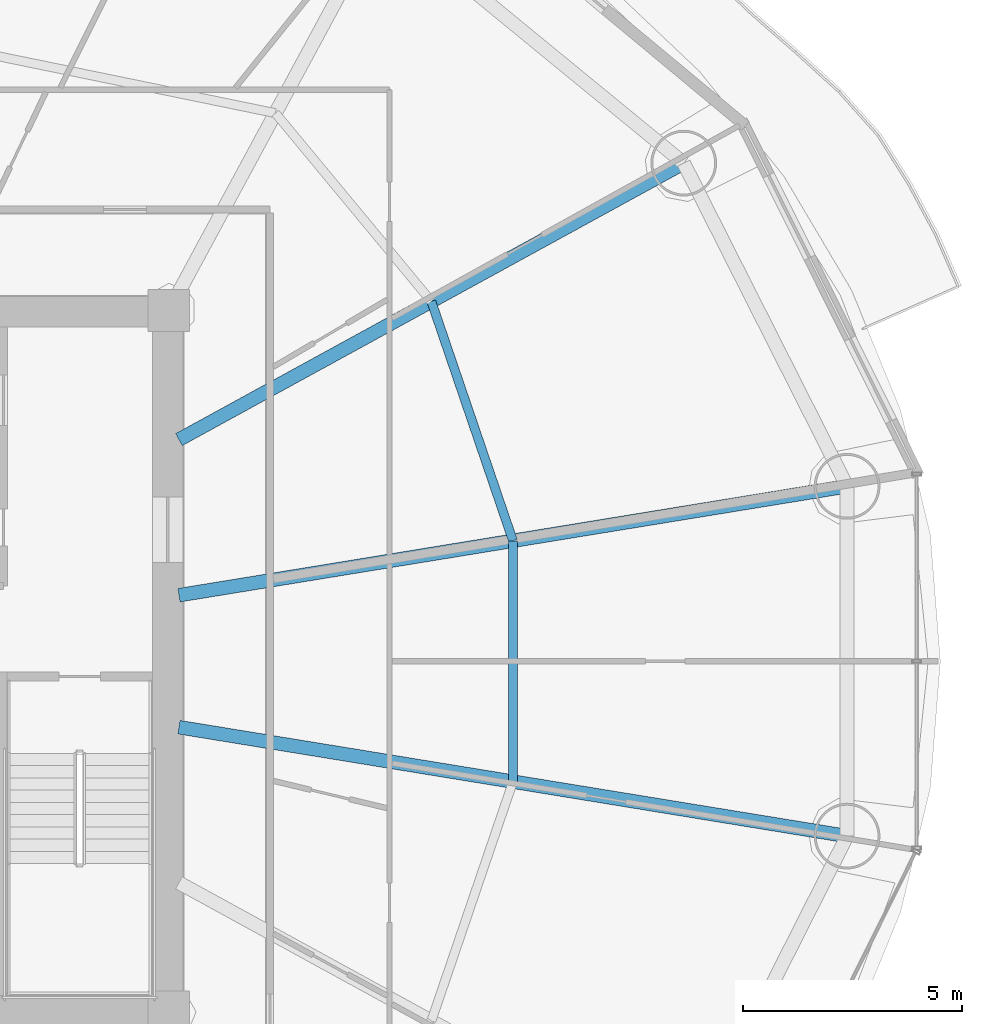
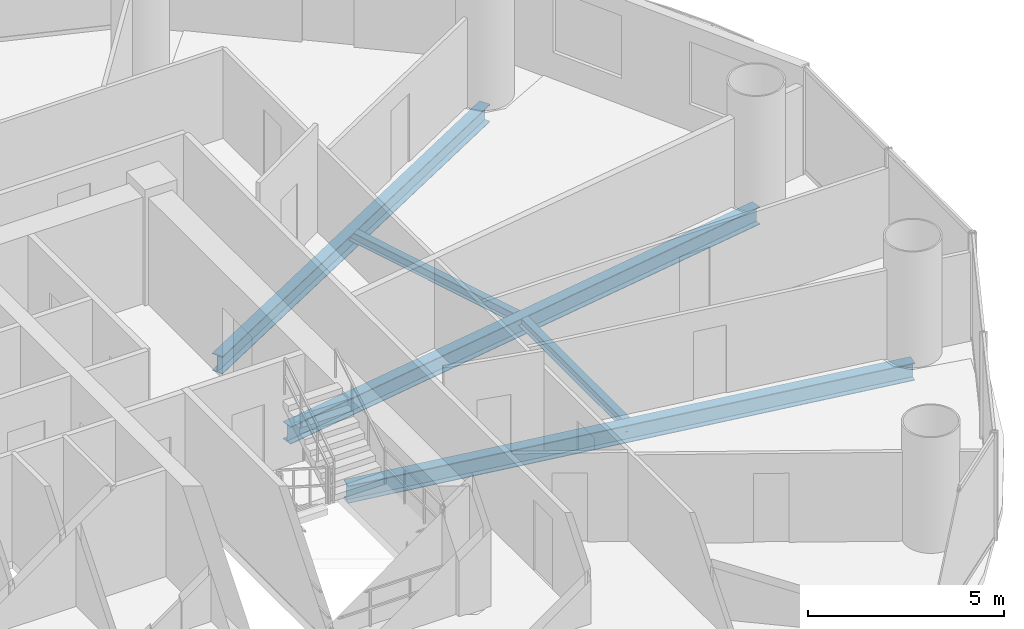
# One storey, part 14 of 29: 5 beams.
"""IFC4 building model written with IfcOpenShell, lengths in metres."""

from ifc_helpers import new_model, si_unit, direction, frame, origin, origin_2d, place, context, subcontext, project, spatial, i_section, extrude, material, material_profile, profile_set, type_object, element, save


model = new_model("IFC4")

# Units and contexts
model_context = context("Model", 3, precision=1e-05, world=origin(), true_north=direction((-0.2419218956, 0.970295726276)))
body_context = subcontext(model_context, "Body", "Model", "MODEL_VIEW")
ifc_project = project(units=[si_unit("LENGTHUNIT", "METRE"), si_unit("AREAUNIT", "SQUARE_METRE"), si_unit("VOLUMEUNIT", "CUBIC_METRE"), si_unit("PLANEANGLEUNIT", "RADIAN"), si_unit("MASSUNIT", "GRAM", prefix="KILO")], contexts=[model_context])

# Site, building, storey
site_placement = place(None, origin())
site = spatial("IfcSite", under=ifc_project, at=site_placement, CompositionType="ELEMENT")
building_placement = place(site_placement, origin())
building = spatial("IfcBuilding", under=site, at=building_placement, Name="Cobrevalo Terracotta Tower", CompositionType="ELEMENT")
storey_placement = place(building_placement, frame((0.0, 0.0, 83.39990234375)))
storey = spatial("IfcBuildingStorey", under=building, at=storey_placement, Name="L21", CompositionType="ELEMENT", Elevation=83.39990234375)

# Beams
ifc_material = material(Name="Steel S355", Category="steel")
ifc_material_profile_1 = material_profile(ifc_material, i_section(OverallWidth=0.31201171875, OverallDepth=0.54296875, WebThickness=0.0126953125, FlangeThickness=0.020263671875, at=origin_2d()), Name="W 530x150")
ifc_profile_set_1 = profile_set([ifc_material_profile_1], Name="Steel S355")
beam_type_1 = type_object("IfcBeamType", Name="Structural Beam W 530x150 (Steel S355)", PredefinedType="BEAM", material=ifc_profile_set_1)
beam_1_placement = place(storey_placement, frame((62.470703125, 30.78955078125, -0.54638671875), z_axis=(-0.986970567439, -0.160900898101, 0.0), x_axis=(0.160900898101, -0.986970567439, 0.0)))
element("IfcBeam", 1, at=beam_1_placement, inside=storey, type_object=beam_type_1, Name="L21 radial floor girder 01", PredefinedType="BEAM", context=body_context, shape_type="SweptSolid", body=[
    extrude(i_section(OverallWidth=0.31201171875, OverallDepth=0.54296875, WebThickness=0.0126953125, FlangeThickness=0.020263671875, at=origin_2d()), origin(), (0.0, 0.0, 1.0), 15.44189453125),
])
beam_2_placement = place(storey_placement, frame((58.7451171875, 38.161376953125, -0.54638671875), z_axis=(-0.877080599376, -0.480343233738, 0.0), x_axis=(0.480343233738, -0.877080599376, 0.0)))
element("IfcBeam", 2, at=beam_2_placement, inside=storey, type_object=beam_type_1, Name="L21 radial floor girder 02", PredefinedType="BEAM", context=body_context, shape_type="SweptSolid", body=[
    extrude(i_section(OverallWidth=0.31201171875, OverallDepth=0.54296875, WebThickness=0.0126953125, FlangeThickness=0.020263671875, at=origin_2d()), origin(), (0.0, 0.0, 1.0), 13.12890625),
])
beam_3_placement = place(storey_placement, frame((62.470703125, 22.810302734375, -0.54638671875), z_axis=(-0.986968056587, 0.160916298977, 0.0), x_axis=(-0.160916298977, -0.986968056587, 0.0)))
element("IfcBeam", 3, at=beam_3_placement, inside=storey, type_object=beam_type_1, Name="L21 radial floor girder 16", PredefinedType="BEAM", context=body_context, shape_type="SweptSolid", body=[
    extrude(i_section(OverallWidth=0.31201171875, OverallDepth=0.54296875, WebThickness=0.0126953125, FlangeThickness=0.020263671875, at=origin_2d()), origin(), (0.0, 0.0, 1.0), 15.44189453125),
])
ifc_material_profile_2 = material_profile(ifc_material, i_section(OverallWidth=0.2041015625, OverallDepth=0.305908203125, WebThickness=0.008544921875, FlangeThickness=0.0146484375, at=origin_2d()), Name="W 310x67")
ifc_profile_set_2 = profile_set([ifc_material_profile_2], Name="Steel S355")
beam_type_2 = type_object("IfcBeamType", Name="Structural Joist W 310x67 (Steel S355)", PredefinedType="JOIST", material=ifc_profile_set_2)
beam_4_placement = place(storey_placement, frame((54.850341796875, 29.547119140625, -0.427978515625), z_axis=(-0.322833299398, 0.94645584197, 0.0), x_axis=(-0.94645584197, -0.322833299398, 0.0)))
element("IfcBeam", 4, at=beam_4_placement, inside=storey, type_object=beam_type_2, Name="L21 circumferential secondary floor joist 01", PredefinedType="JOIST", context=body_context, shape_type="SweptSolid", body=[
    extrude(i_section(OverallWidth=0.2041015625, OverallDepth=0.305908203125, WebThickness=0.008544921875, FlangeThickness=0.0146484375, at=origin_2d()), origin(), (0.0, 0.0, 1.0), 5.77001953125),
])
beam_5_placement = place(storey_placement, frame((54.850341796875, 24.052734375, -0.427978515625), z_axis=(0.0, 1.0, 0.0), x_axis=(-1.0, 0.0, 0.0)))
element("IfcBeam", 5, at=beam_5_placement, inside=storey, type_object=beam_type_2, Name="L21 circumferential secondary floor joist 16", PredefinedType="JOIST", context=body_context, shape_type="SweptSolid", body=[
    extrude(i_section(OverallWidth=0.2041015625, OverallDepth=0.305908203125, WebThickness=0.008544921875, FlangeThickness=0.0146484375, at=origin_2d()), origin(), (0.0, 0.0, 1.0), 5.494384765625),
])

save(model, "model.ifc")
